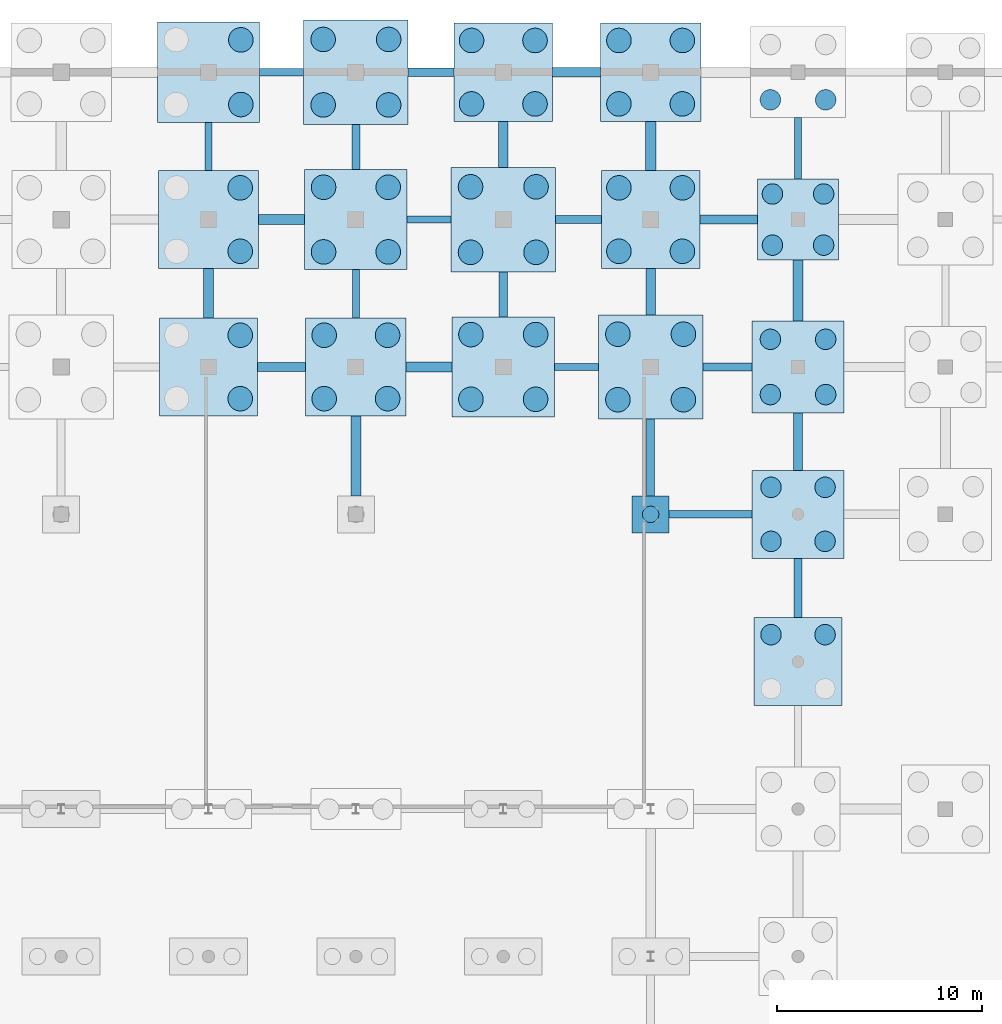
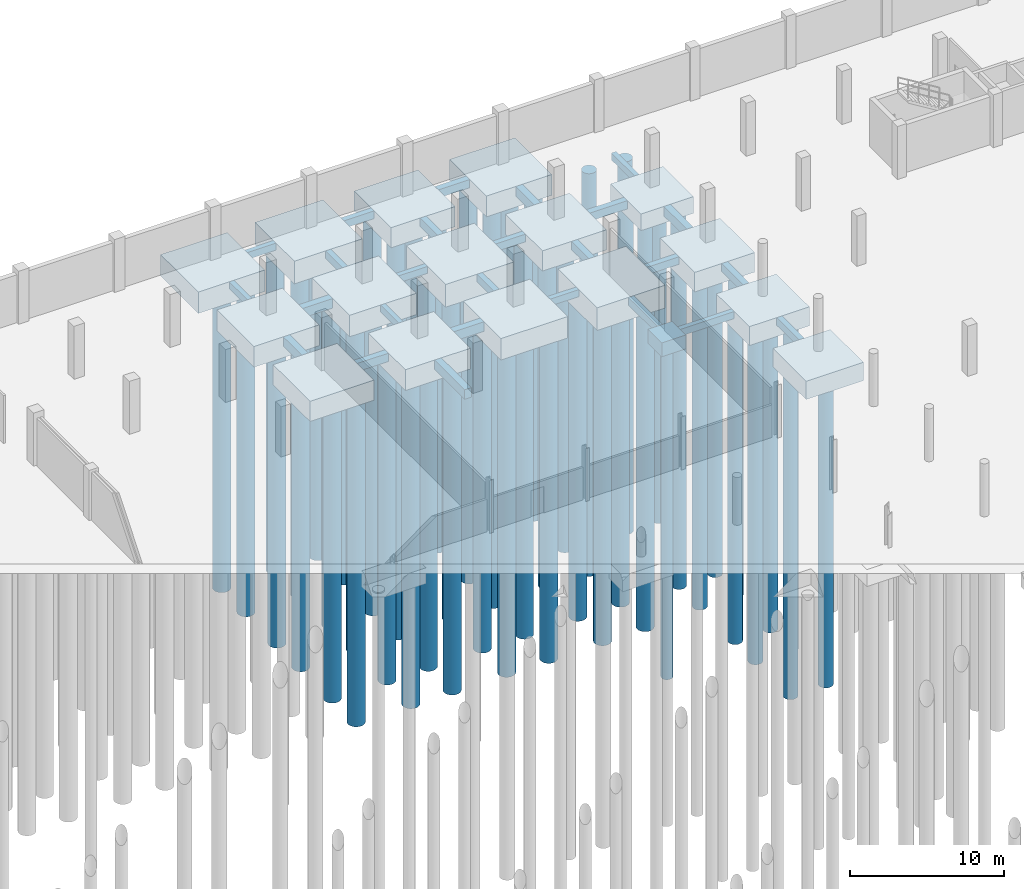
# One storey, part 11 of 56: 59 piles, 43 footings.
"""IFC4 building model written with IfcOpenShell, lengths in metres."""

from ifc_helpers import new_model, si_unit, direction, frame, origin, origin_2d, place, context, subcontext, project, spatial, rectangle, circle, extrude, material, material_profile, profile_set, type_object, element, save


model = new_model("IFC4")

# Units and contexts
model_context = context("Model", 3, precision=1e-05, world=origin(), true_north=direction((0.0, 1.0)))
body_context = subcontext(model_context, "Body", "Model", "MODEL_VIEW")
ifc_project = project(units=[si_unit("LENGTHUNIT", "METRE"), si_unit("AREAUNIT", "SQUARE_METRE"), si_unit("VOLUMEUNIT", "CUBIC_METRE"), si_unit("PLANEANGLEUNIT", "RADIAN"), si_unit("MASSUNIT", "GRAM", prefix="KILO")], contexts=[model_context])

# Site, building, storey
site_placement = place(None, origin())
site = spatial("IfcSite", under=ifc_project, at=site_placement, CompositionType="ELEMENT")
building_placement = place(site_placement, origin())
building = spatial("IfcBuilding", under=site, at=building_placement, Name="Suanplinth Sawtooth Commons", CompositionType="ELEMENT")
storey_placement = place(building_placement, frame((0.0, 0.0, -4.199951171875)))
storey = spatial("IfcBuildingStorey", under=building, at=storey_placement, Name="B1", CompositionType="ELEMENT", Elevation=-4.199951171875)

# Footings
ifc_material_1 = material(Name="Concrete C35/45", Category="concrete")
ifc_material_profile_1 = material_profile(ifc_material_1, rectangle(XDim=0.449951171875, YDim=0.64990234375, at=origin_2d()), Name="PC-GDR 450x650")
ifc_profile_set_1 = profile_set([ifc_material_profile_1], Name="Concrete C35/45")
footing_type_1 = type_object("IfcFootingType", Name="FB-01", PredefinedType="FOOTING_BEAM", material=ifc_profile_set_1)
footing_1_placement = place(storey_placement, frame((96.0, 108.0, -0.824951171875), z_axis=(1.0, 0.0, 0.0), x_axis=(0.0, 1.0, 0.0)))
element("IfcFooting", 1, at=footing_1_placement, inside=storey, type_object=footing_type_1, Name="Foundation Tie Beam 14-15/R", PredefinedType="FOOTING_BEAM", context=body_context, shape_type="SweptSolid", body=[
    extrude(rectangle(XDim=0.449951171875, YDim=0.64990234375, at=origin_2d()), origin(), (0.0, 0.0, 1.0), 2.35009765625),
])
footing_2_placement = place(storey_placement, frame((108.0, 117.75, -0.824951171875), z_axis=(0.0, 1.0, 0.0), x_axis=(-1.0, 0.0, 0.0)))
element("IfcFooting", 2, at=footing_2_placement, inside=storey, type_object=footing_type_1, Name="Foundation Tie Beam 16/S-T", PredefinedType="FOOTING_BEAM", context=body_context, shape_type="SweptSolid", body=[
    extrude(rectangle(XDim=0.449951171875, YDim=0.64990234375, at=origin_2d()), origin(), (0.0, 0.0, 1.0), 2.25),
])
footing_3_placement = place(storey_placement, frame((110.39990234375, 122.39990234375, -0.824951171875), z_axis=(1.0, 0.0, 0.0), x_axis=(0.0, 1.0, 0.0)))
element("IfcFooting", 3, at=footing_3_placement, inside=storey, type_object=footing_type_1, Name="Foundation Tie Beam 16-17/T", PredefinedType="FOOTING_BEAM", context=body_context, shape_type="SweptSolid", body=[
    extrude(rectangle(XDim=0.449951171875, YDim=0.64990234375, at=origin_2d()), origin(), (0.0, 0.0, 1.0), 2.35009765625),
])
footing_4_placement = place(storey_placement, frame((115.199951171875, 110.550048828125, -0.824951171875), z_axis=(0.0, 1.0, 0.0), x_axis=(-1.0, 0.0, 0.0)))
element("IfcFooting", 4, at=footing_4_placement, inside=storey, type_object=footing_type_1, Name="Foundation Tie Beam 17/R-S", PredefinedType="FOOTING_BEAM", context=body_context, shape_type="SweptSolid", body=[
    extrude(rectangle(XDim=0.449951171875, YDim=0.64990234375, at=origin_2d()), origin(), (0.0, 0.0, 1.0), 2.25),
])
footing_5_placement = place(storey_placement, frame((117.60009765625, 115.199951171875, -0.824951171875), z_axis=(1.0, 0.0, 0.0), x_axis=(0.0, 1.0, 0.0)))
element("IfcFooting", 5, at=footing_5_placement, inside=storey, type_object=footing_type_1, Name="Foundation Tie Beam 17-18/S", PredefinedType="FOOTING_BEAM", context=body_context, shape_type="SweptSolid", body=[
    extrude(rectangle(XDim=0.449951171875, YDim=0.64990234375, at=origin_2d()), origin(), (0.0, 0.0, 1.0), 2.824951171875),
])
footing_6_placement = place(storey_placement, frame((122.39990234375, 102.949951171875, -0.824951171875), z_axis=(0.0, 1.0, 0.0), x_axis=(-1.0, 0.0, 0.0)))
element("IfcFooting", 6, at=footing_6_placement, inside=storey, type_object=footing_type_1, Name="Foundation Tie Beam 18/Q-R", PredefinedType="FOOTING_BEAM", context=body_context, shape_type="SweptSolid", body=[
    extrude(rectangle(XDim=0.449951171875, YDim=0.64990234375, at=origin_2d()), origin(), (0.0, 0.0, 1.0), 2.800048828125),
])
ifc_material_profile_2 = material_profile(ifc_material_1, rectangle(XDim=0.5, YDim=0.75, at=origin_2d()), Name="RC-GDR 500x750")
ifc_profile_set_2 = profile_set([ifc_material_profile_2], Name="Concrete C35/45")
footing_type_2 = type_object("IfcFootingType", Name="FB-02", PredefinedType="FOOTING_BEAM", material=ifc_profile_set_2)
footing_7_placement = place(storey_placement, frame((93.60009765625, 110.39990234375, -0.875), z_axis=(0.0, 1.0, 0.0), x_axis=(-1.0, 0.0, 0.0)))
element("IfcFooting", 7, at=footing_7_placement, inside=storey, type_object=footing_type_2, Name="Foundation Tie Beam 14/R-S", PredefinedType="FOOTING_BEAM", context=body_context, shape_type="SweptSolid", body=[
    extrude(rectangle(XDim=0.5, YDim=0.75, at=origin_2d()), origin(), (0.0, 0.0, 1.0), 2.400146484375),
])
footing_8_placement = place(storey_placement, frame((96.050048828125, 115.199951171875, -0.875), z_axis=(1.0, 0.0, 0.0), x_axis=(0.0, 1.0, 0.0)))
element("IfcFooting", 8, at=footing_8_placement, inside=storey, type_object=footing_type_2, Name="Foundation Tie Beam 14-15/S", PredefinedType="FOOTING_BEAM", context=body_context, shape_type="SweptSolid", body=[
    extrude(rectangle(XDim=0.5, YDim=0.75, at=origin_2d()), origin(), (0.0, 0.0, 1.0), 2.25),
])
footing_9_placement = place(storey_placement, frame((100.800048828125, 101.699951171875, -0.875), z_axis=(0.0, 1.0, 0.0), x_axis=(-1.0, 0.0, 0.0)))
element("IfcFooting", 9, at=footing_9_placement, inside=storey, type_object=footing_type_2, Name="Foundation Tie Beam 15/Q-R", PredefinedType="FOOTING_BEAM", context=body_context, shape_type="SweptSolid", body=[
    extrude(rectangle(XDim=0.5, YDim=0.75, at=origin_2d()), origin(), (0.0, 0.0, 1.0), 3.900146484375),
])
footing_10_placement = place(storey_placement, frame((103.25, 108.0, -0.875), z_axis=(1.0, 0.0, 0.0), x_axis=(0.0, 1.0, 0.0)))
element("IfcFooting", 10, at=footing_10_placement, inside=storey, type_object=footing_type_2, Name="Foundation Tie Beam 15-16/R", PredefinedType="FOOTING_BEAM", context=body_context, shape_type="SweptSolid", body=[
    extrude(rectangle(XDim=0.5, YDim=0.75, at=origin_2d()), origin(), (0.0, 0.0, 1.0), 2.25),
])
footing_11_placement = place(storey_placement, frame((115.199951171875, 117.60009765625, -0.875), z_axis=(0.0, 1.0, 0.0), x_axis=(-1.0, 0.0, 0.0)))
element("IfcFooting", 11, at=footing_11_placement, inside=storey, type_object=footing_type_2, Name="Foundation Tie Beam 17/S-T", PredefinedType="FOOTING_BEAM", context=body_context, shape_type="SweptSolid", body=[
    extrude(rectangle(XDim=0.5, YDim=0.75, at=origin_2d()), origin(), (0.0, 0.0, 1.0), 2.39990234375),
])
footing_12_placement = place(storey_placement, frame((122.39990234375, 110.25, -0.875), z_axis=(0.0, 1.0, 0.0), x_axis=(-1.0, 0.0, 0.0)))
element("IfcFooting", 12, at=footing_12_placement, inside=storey, type_object=footing_type_2, Name="Foundation Tie Beam 18/R-S", PredefinedType="FOOTING_BEAM", context=body_context, shape_type="SweptSolid", body=[
    extrude(rectangle(XDim=0.5, YDim=0.75, at=origin_2d()), origin(), (0.0, 0.0, 1.0), 2.97509765625),
])
ifc_material_profile_3 = material_profile(ifc_material_1, rectangle(XDim=0.35009765625, YDim=0.550048828125, at=origin_2d()), Name="PC-BM 350x550")
ifc_profile_set_3 = profile_set([ifc_material_profile_3], Name="Concrete C35/45")
footing_type_3 = type_object("IfcFootingType", Name="FB-03", PredefinedType="FOOTING_BEAM", material=ifc_profile_set_3)
footing_13_placement = place(storey_placement, frame((93.60009765625, 117.60009765625, -0.775146484375), z_axis=(0.0, 1.0, 0.0), x_axis=(-1.0, 0.0, 0.0)))
element("IfcFooting", 13, at=footing_13_placement, inside=storey, type_object=footing_type_3, Name="Foundation Tie Beam 14/S-T", PredefinedType="FOOTING_BEAM", context=body_context, shape_type="SweptSolid", body=[
    extrude(rectangle(XDim=0.35009765625, YDim=0.550048828125, at=origin_2d()), origin(), (0.0, 0.0, 1.0), 2.349853515625),
])
footing_14_placement = place(storey_placement, frame((96.10009765625, 122.39990234375, -0.775146484375), z_axis=(1.0, 0.0, 0.0), x_axis=(0.0, 1.0, 0.0)))
element("IfcFooting", 14, at=footing_14_placement, inside=storey, type_object=footing_type_3, Name="Foundation Tie Beam 14-15/T", PredefinedType="FOOTING_BEAM", context=body_context, shape_type="SweptSolid", body=[
    extrude(rectangle(XDim=0.35009765625, YDim=0.550048828125, at=origin_2d()), origin(), (0.0, 0.0, 1.0), 2.14990234375),
])
footing_15_placement = place(storey_placement, frame((100.800048828125, 110.39990234375, -0.775146484375), z_axis=(0.0, 1.0, 0.0), x_axis=(-1.0, 0.0, 0.0)))
element("IfcFooting", 15, at=footing_15_placement, inside=storey, type_object=footing_type_3, Name="Foundation Tie Beam 15/R-S", PredefinedType="FOOTING_BEAM", context=body_context, shape_type="SweptSolid", body=[
    extrude(rectangle(XDim=0.35009765625, YDim=0.550048828125, at=origin_2d()), origin(), (0.0, 0.0, 1.0), 2.35009765625),
])
for number, where, z_axis, x_axis, name in (
    (16, (103.300048828125, 115.199951171875, -0.775146484375), (1.0, 0.0, 0.0), (0.0, 1.0, 0.0), "Foundation Tie Beam 15-16/S"),
    (17, (110.5, 108.0, -0.775146484375), (1.0, 0.0, 0.0), (0.0, 1.0, 0.0), "Foundation Tie Beam 16-17/R"),
):
    element("IfcFooting", number, at=place(storey_placement, frame(where, z_axis=z_axis, x_axis=x_axis)), inside=storey, type_object=footing_type_3, Name=name, PredefinedType="FOOTING_BEAM", context=body_context, shape_type="SweptSolid", body=[
        extrude(rectangle(XDim=0.35009765625, YDim=0.550048828125, at=origin_2d()), origin(), (0.0, 0.0, 1.0), 2.14990234375),
    ])
footing_16_placement = place(storey_placement, frame((116.10009765625, 100.800048828125, -0.775146484375), z_axis=(1.0, 0.0, 0.0), x_axis=(0.0, 1.0, 0.0)))
element("IfcFooting", 18, at=footing_16_placement, inside=storey, type_object=footing_type_3, Name="Foundation Tie Beam 17-18/Q", PredefinedType="FOOTING_BEAM", context=body_context, shape_type="SweptSolid", body=[
    extrude(rectangle(XDim=0.35009765625, YDim=0.550048828125, at=origin_2d()), origin(), (0.0, 0.0, 1.0), 4.0498046875),
])
footing_17_placement = place(storey_placement, frame((122.39990234375, 117.175048828125, -0.775146484375), z_axis=(0.0, 1.0, 0.0), x_axis=(-1.0, 0.0, 0.0)))
element("IfcFooting", 19, at=footing_17_placement, inside=storey, type_object=footing_type_3, Name="Foundation Tie Beam 18/S-T", PredefinedType="FOOTING_BEAM", context=body_context, shape_type="SweptSolid", body=[
    extrude(rectangle(XDim=0.35009765625, YDim=0.550048828125, at=origin_2d()), origin(), (0.0, 0.0, 1.0), 3.0),
])
ifc_material_profile_4 = material_profile(ifc_material_1, rectangle(XDim=0.39990234375, YDim=0.60009765625, at=origin_2d()), Name="PC-GDR 400x600")
ifc_profile_set_4 = profile_set([ifc_material_profile_4], Name="Concrete C35/45")
footing_type_4 = type_object("IfcFootingType", Name="FB-04", PredefinedType="FOOTING_BEAM", material=ifc_profile_set_4)
footing_18_placement = place(storey_placement, frame((100.800048828125, 117.64990234375, -0.800048828125), z_axis=(0.0, 1.0, 0.0), x_axis=(-1.0, 0.0, 0.0)))
element("IfcFooting", 20, at=footing_18_placement, inside=storey, type_object=footing_type_4, Name="Foundation Tie Beam 15/S-T", PredefinedType="FOOTING_BEAM", context=body_context, shape_type="SweptSolid", body=[
    extrude(rectangle(XDim=0.39990234375, YDim=0.60009765625, at=origin_2d()), origin(), (0.0, 0.0, 1.0), 2.2001953125),
])
footing_19_placement = place(storey_placement, frame((103.35009765625, 122.39990234375, -0.800048828125), z_axis=(1.0, 0.0, 0.0), x_axis=(0.0, 1.0, 0.0)))
element("IfcFooting", 21, at=footing_19_placement, inside=storey, type_object=footing_type_4, Name="Foundation Tie Beam 15-16/T", PredefinedType="FOOTING_BEAM", context=body_context, shape_type="SweptSolid", body=[
    extrude(rectangle(XDim=0.39990234375, YDim=0.60009765625, at=origin_2d()), origin(), (0.0, 0.0, 1.0), 2.25),
])
footing_20_placement = place(storey_placement, frame((108.0, 110.449951171875, -0.800048828125), z_axis=(0.0, 1.0, 0.0), x_axis=(-1.0, 0.0, 0.0)))
element("IfcFooting", 22, at=footing_20_placement, inside=storey, type_object=footing_type_4, Name="Foundation Tie Beam 16/R-S", PredefinedType="FOOTING_BEAM", context=body_context, shape_type="SweptSolid", body=[
    extrude(rectangle(XDim=0.39990234375, YDim=0.60009765625, at=origin_2d()), origin(), (0.0, 0.0, 1.0), 2.199951171875),
])
footing_21_placement = place(storey_placement, frame((110.550048828125, 115.199951171875, -0.800048828125), z_axis=(1.0, 0.0, 0.0), x_axis=(0.0, 1.0, 0.0)))
element("IfcFooting", 23, at=footing_21_placement, inside=storey, type_object=footing_type_4, Name="Foundation Tie Beam 16-17/S", PredefinedType="FOOTING_BEAM", context=body_context, shape_type="SweptSolid", body=[
    extrude(rectangle(XDim=0.39990234375, YDim=0.60009765625, at=origin_2d()), origin(), (0.0, 0.0, 1.0), 2.25),
])
footing_22_placement = place(storey_placement, frame((115.199951171875, 101.699951171875, -0.800048828125), z_axis=(0.0, 1.0, 0.0), x_axis=(-1.0, 0.0, 0.0)))
element("IfcFooting", 24, at=footing_22_placement, inside=storey, type_object=footing_type_4, Name="Foundation Tie Beam 17/Q-R", PredefinedType="FOOTING_BEAM", context=body_context, shape_type="SweptSolid", body=[
    extrude(rectangle(XDim=0.39990234375, YDim=0.60009765625, at=origin_2d()), origin(), (0.0, 0.0, 1.0), 3.75),
])
footing_23_placement = place(storey_placement, frame((117.75, 108.0, -0.800048828125), z_axis=(1.0, 0.0, 0.0), x_axis=(0.0, 1.0, 0.0)))
element("IfcFooting", 25, at=footing_23_placement, inside=storey, type_object=footing_type_4, Name="Foundation Tie Beam 17-18/R", PredefinedType="FOOTING_BEAM", context=body_context, shape_type="SweptSolid", body=[
    extrude(rectangle(XDim=0.39990234375, YDim=0.60009765625, at=origin_2d()), origin(), (0.0, 0.0, 1.0), 2.39990234375),
])
footing_24_placement = place(storey_placement, frame((122.39990234375, 95.75, -0.800048828125), z_axis=(0.0, 1.0, 0.0), x_axis=(-1.0, 0.0, 0.0)))
element("IfcFooting", 26, at=footing_24_placement, inside=storey, type_object=footing_type_4, Name="Foundation Tie Beam 18/P-Q", PredefinedType="FOOTING_BEAM", context=body_context, shape_type="SweptSolid", body=[
    extrude(rectangle(XDim=0.39990234375, YDim=0.60009765625, at=origin_2d()), origin(), (0.0, 0.0, 1.0), 2.89990234375),
])
footing_type_5 = type_object("IfcFootingType", Name="FC-01", PredefinedType="PILE_CAP", material=ifc_material_1)
footing_25_placement = place(storey_placement, frame((115.199951171875, 100.800048828125, -1.60009765625), z_axis=(0.0, 0.0, 1.0), x_axis=(1.0, 0.0, 0.0)))
element("IfcFooting", 27, at=footing_25_placement, inside=storey, type_object=footing_type_5, Name="Pile Cap 17/Q", PredefinedType="PILE_CAP", context=body_context, shape_type="SweptSolid", body=[
    extrude(rectangle(XDim=1.800048828125, YDim=1.800048828125, at=origin_2d()), origin(), (0.0, 0.0, 1.0), 1.10009765625),
])
footing_type_6 = type_object("IfcFootingType", Name="FC-08", PredefinedType="PILE_CAP", material=ifc_material_1)
footing_26_placement = place(storey_placement, frame((122.39990234375, 93.60009765625, -1.9501953125), z_axis=(0.0, 0.0, 1.0), x_axis=(1.0, 0.0, 0.0)))
element("IfcFooting", 28, at=footing_26_placement, inside=storey, type_object=footing_type_6, Name="Pile Cap 18/P", PredefinedType="PILE_CAP", context=body_context, shape_type="SweptSolid", body=[
    extrude(rectangle(XDim=4.300048828125, YDim=4.300048828125, at=origin_2d()), origin(), (0.0, 0.0, 1.0), 1.449951171875),
])
footing_type_7 = type_object("IfcFootingType", Name="FC-09", PredefinedType="PILE_CAP", material=ifc_material_1)
footing_27_placement = place(storey_placement, frame((122.39990234375, 100.800048828125, -2.0), z_axis=(0.0, 0.0, 1.0), x_axis=(1.0, 0.0, 0.0)))
element("IfcFooting", 29, at=footing_27_placement, inside=storey, type_object=footing_type_7, Name="Pile Cap 18/Q", PredefinedType="PILE_CAP", context=body_context, shape_type="SweptSolid", body=[
    extrude(rectangle(XDim=4.5, YDim=4.300048828125, at=origin_2d()), origin(), (0.0, 0.0, 1.0), 1.5),
])
footing_type_8 = type_object("IfcFootingType", Name="FC-10", PredefinedType="PILE_CAP", material=ifc_material_1)
footing_28_placement = place(storey_placement, frame((122.39990234375, 108.0, -2.05029296875), z_axis=(0.0, 0.0, 1.0), x_axis=(1.0, 0.0, 0.0)))
element("IfcFooting", 30, at=footing_28_placement, inside=storey, type_object=footing_type_8, Name="Pile Cap 18/R", PredefinedType="PILE_CAP", context=body_context, shape_type="SweptSolid", body=[
    extrude(rectangle(XDim=4.5, YDim=4.5, at=origin_2d()), origin(), (0.0, 0.0, 1.0), 1.550048828125),
])
footing_type_9 = type_object("IfcFootingType", Name="FC-11", PredefinedType="PILE_CAP", material=ifc_material_1)
for number, where, z_axis, x_axis, name in (
    (31, (93.60009765625, 108.0, -2.10009765625), (0.0, 0.0, 1.0), (1.0, 0.0, 0.0), "Pile Cap 14/R"),
    (32, (108.0, 122.39990234375, -2.10009765625), (0.0, 0.0, 1.0), (1.0, 0.0, 0.0), "Pile Cap 16/T"),
    (33, (115.199951171875, 115.199951171875, -2.10009765625), (0.0, 0.0, 1.0), (1.0, 0.0, 0.0), "Pile Cap 17/S"),
):
    element("IfcFooting", number, at=place(storey_placement, frame(where, z_axis=z_axis, x_axis=x_axis)), inside=storey, type_object=footing_type_9, Name=name, PredefinedType="PILE_CAP", context=body_context, shape_type="SweptSolid", body=[
        extrude(rectangle(XDim=4.800048828125, YDim=4.800048828125, at=origin_2d()), origin(), (0.0, 0.0, 1.0), 1.60009765625),
    ])
footing_type_10 = type_object("IfcFootingType", Name="FC-12", PredefinedType="PILE_CAP", material=ifc_material_1)
for number, where, z_axis, x_axis, name in (
    (34, (93.60009765625, 115.199951171875, -2.14990234375), (0.0, 0.0, 1.0), (1.0, 0.0, 0.0), "Pile Cap 14/S"),
    (35, (100.800048828125, 108.0, -2.14990234375), (0.0, 0.0, 1.0), (1.0, 0.0, 0.0), "Pile Cap 15/R"),
    (36, (115.199951171875, 122.39990234375, -2.14990234375), (0.0, 0.0, 1.0), (1.0, 0.0, 0.0), "Pile Cap 17/T"),
):
    element("IfcFooting", number, at=place(storey_placement, frame(where, z_axis=z_axis, x_axis=x_axis)), inside=storey, type_object=footing_type_10, Name=name, PredefinedType="PILE_CAP", context=body_context, shape_type="SweptSolid", body=[
        extrude(rectangle(XDim=4.89990234375, YDim=4.800048828125, at=origin_2d()), origin(), (0.0, 0.0, 1.0), 1.64990234375),
    ])
footing_type_11 = type_object("IfcFootingType", Name="FC-13", PredefinedType="PILE_CAP", material=ifc_material_1)
for number, where, z_axis, x_axis, name in (
    (37, (93.60009765625, 122.39990234375, -2.2001953125), (0.0, 0.0, 1.0), (1.0, 0.0, 0.0), "Pile Cap 14/T"),
    (38, (100.800048828125, 115.199951171875, -2.2001953125), (0.0, 0.0, 1.0), (1.0, 0.0, 0.0), "Pile Cap 15/S"),
    (39, (108.0, 108.0, -2.2001953125), (0.0, 0.0, 1.0), (1.0, 0.0, 0.0), "Pile Cap 16/R"),
):
    element("IfcFooting", number, at=place(storey_placement, frame(where, z_axis=z_axis, x_axis=x_axis)), inside=storey, type_object=footing_type_11, Name=name, PredefinedType="PILE_CAP", context=body_context, shape_type="SweptSolid", body=[
        extrude(rectangle(XDim=5.0, YDim=4.89990234375, at=origin_2d()), origin(), (0.0, 0.0, 1.0), 1.699951171875),
    ])
footing_type_12 = type_object("IfcFootingType", Name="FC-14", PredefinedType="PILE_CAP", material=ifc_material_1)
for number, where, z_axis, x_axis, name in (
    (40, (100.800048828125, 122.39990234375, -2.30029296875), (0.0, 0.0, 1.0), (1.0, 0.0, 0.0), "Pile Cap 15/T"),
    (41, (108.0, 115.199951171875, -2.30029296875), (0.0, 0.0, 1.0), (1.0, 0.0, 0.0), "Pile Cap 16/S"),
    (42, (115.199951171875, 108.0, -2.30029296875), (0.0, 0.0, 1.0), (1.0, 0.0, 0.0), "Pile Cap 17/R"),
):
    element("IfcFooting", number, at=place(storey_placement, frame(where, z_axis=z_axis, x_axis=x_axis)), inside=storey, type_object=footing_type_12, Name=name, PredefinedType="PILE_CAP", context=body_context, shape_type="SweptSolid", body=[
        extrude(rectangle(XDim=5.10009765625, YDim=5.10009765625, at=origin_2d()), origin(), (0.0, 0.0, 1.0), 1.800048828125),
    ])
footing_type_13 = type_object("IfcFootingType", Name="FC-15", PredefinedType="PILE_CAP", material=ifc_material_1)
footing_29_placement = place(storey_placement, frame((122.39990234375, 115.199951171875, -1.8203125), z_axis=(0.0, 0.0, 1.0), x_axis=(1.0, 0.0, 0.0)))
element("IfcFooting", 43, at=footing_29_placement, inside=storey, type_object=footing_type_13, Name="Pile Cap 18/S", PredefinedType="PILE_CAP", context=body_context, shape_type="SweptSolid", body=[
    extrude(rectangle(XDim=3.949951171875, YDim=3.949951171875, at=origin_2d()), origin(), (0.0, 0.0, 1.0), 1.320068359375),
])

# Piles
ifc_material_2 = material(Name="Concrete C32/40", Category="concrete")
ifc_material_profile_5 = material_profile(ifc_material_2, circle(Radius=0.39990234375, at=origin_2d()), Name="PILE D800")
ifc_profile_set_5 = profile_set([ifc_material_profile_5], Name="Concrete C32/40")
pile_type_1 = type_object("IfcPileType", Name="P-01", PredefinedType="BORED", material=ifc_profile_set_5)
pile_placement = place(storey_placement, frame((115.199951171875, 100.800048828125, -1.5), z_axis=(0.0, 0.0, -1.0), x_axis=(1.0, 0.0, 0.0)))
element("IfcPile", 44, at=pile_placement, inside=storey, type_object=pile_type_1, Name="Bored Pile 17/Q-1", PredefinedType="BORED", context=body_context, shape_type="SweptSolid", body=[
    extrude(circle(Radius=0.39990234375, at=origin_2d()), origin(), (0.0, 0.0, 1.0), 26.300048828125),
])
ifc_material_profile_6 = material_profile(ifc_material_2, circle(Radius=0.5, at=origin_2d()), Name="PILE D1000")
ifc_profile_set_6 = profile_set([ifc_material_profile_6], Name="Concrete C32/40")
pile_type_2 = type_object("IfcPileType", Name="P-02", PredefinedType="BORED", material=ifc_profile_set_6)
for number, where, z_axis, x_axis, name in (
    (45, (121.080078125, 94.919921875, -1.85009765625), (0.0, 0.0, -1.0), (1.0, 0.0, 0.0), "Bored Pile 18/P-3"),
    (46, (123.719970703125, 94.919921875, -1.85009765625), (0.0, 0.0, -1.0), (1.0, 0.0, 0.0), "Bored Pile 18/P-4"),
):
    element("IfcPile", number, at=place(storey_placement, frame(where, z_axis=z_axis, x_axis=x_axis)), inside=storey, type_object=pile_type_2, Name=name, PredefinedType="BORED", context=body_context, shape_type="SweptSolid", body=[
        extrude(circle(Radius=0.5, at=origin_2d()), origin(), (0.0, 0.0, 1.0), 25.949951171875),
    ])
for number, where, z_axis, x_axis, name in (
    (47, (121.080078125, 99.47998046875, -1.900146484375), (0.0, 0.0, -1.0), (1.0, 0.0, 0.0), "Bored Pile 18/Q-1"),
    (48, (123.719970703125, 99.47998046875, -1.900146484375), (0.0, 0.0, -1.0), (1.0, 0.0, 0.0), "Bored Pile 18/Q-2"),
    (49, (121.080078125, 102.1201171875, -1.900146484375), (0.0, 0.0, -1.0), (1.0, 0.0, 0.0), "Bored Pile 18/Q-3"),
    (50, (123.719970703125, 102.1201171875, -1.900146484375), (0.0, 0.0, -1.0), (1.0, 0.0, 0.0), "Bored Pile 18/Q-4"),
):
    element("IfcPile", number, at=place(storey_placement, frame(where, z_axis=z_axis, x_axis=x_axis)), inside=storey, type_object=pile_type_2, Name=name, PredefinedType="BORED", context=body_context, shape_type="SweptSolid", body=[
        extrude(circle(Radius=0.5, at=origin_2d()), origin(), (0.0, 0.0, 1.0), 25.89990234375),
    ])
for number, where, z_axis, x_axis, name in (
    (51, (121.050048828125, 106.64990234375, -1.949951171875), (0.0, 0.0, -1.0), (1.0, 0.0, 0.0), "Bored Pile 18/R-1"),
    (52, (123.75, 106.64990234375, -1.949951171875), (0.0, 0.0, -1.0), (1.0, 0.0, 0.0), "Bored Pile 18/R-2"),
    (53, (121.050048828125, 109.35009765625, -1.949951171875), (0.0, 0.0, -1.0), (1.0, 0.0, 0.0), "Bored Pile 18/R-3"),
    (54, (123.75, 109.35009765625, -1.949951171875), (0.0, 0.0, -1.0), (1.0, 0.0, 0.0), "Bored Pile 18/R-4"),
):
    element("IfcPile", number, at=place(storey_placement, frame(where, z_axis=z_axis, x_axis=x_axis)), inside=storey, type_object=pile_type_2, Name=name, PredefinedType="BORED", context=body_context, shape_type="SweptSolid", body=[
        extrude(circle(Radius=0.5, at=origin_2d()), origin(), (0.0, 0.0, 1.0), 25.85009765625),
    ])
for number, where, z_axis, x_axis, name in (
    (55, (121.14990234375, 113.949951171875, -1.719970703125), (0.0, 0.0, -1.0), (1.0, 0.0, 0.0), "Bored Pile 18/S-1"),
    (56, (123.64990234375, 113.949951171875, -1.719970703125), (0.0, 0.0, -1.0), (1.0, 0.0, 0.0), "Bored Pile 18/S-2"),
    (57, (121.14990234375, 116.449951171875, -1.719970703125), (0.0, 0.0, -1.0), (1.0, 0.0, 0.0), "Bored Pile 18/S-3"),
    (58, (123.64990234375, 116.449951171875, -1.719970703125), (0.0, 0.0, -1.0), (1.0, 0.0, 0.0), "Bored Pile 18/S-4"),
):
    element("IfcPile", number, at=place(storey_placement, frame(where, z_axis=z_axis, x_axis=x_axis)), inside=storey, type_object=pile_type_2, Name=name, PredefinedType="BORED", context=body_context, shape_type="SweptSolid", body=[
        extrude(circle(Radius=0.5, at=origin_2d()), origin(), (0.0, 0.0, 1.0), 26.080078125),
    ])
for number, where, z_axis, x_axis, name in (
    (59, (121.050048828125, 121.050048828125, -1.920166015625), (0.0, 0.0, -1.0), (1.0, 0.0, 0.0), "Bored Pile 18/T-1"),
    (60, (123.75, 121.050048828125, -1.920166015625), (0.0, 0.0, -1.0), (1.0, 0.0, 0.0), "Bored Pile 18/T-2"),
):
    element("IfcPile", number, at=place(storey_placement, frame(where, z_axis=z_axis, x_axis=x_axis)), inside=storey, type_object=pile_type_2, Name=name, PredefinedType="BORED", context=body_context, shape_type="SweptSolid", body=[
        extrude(circle(Radius=0.5, at=origin_2d()), origin(), (0.0, 0.0, 1.0), 25.8798828125),
    ])
ifc_material_profile_7 = material_profile(ifc_material_2, circle(Radius=0.60009765625, at=origin_2d()), Name="PILE D1200")
ifc_profile_set_7 = profile_set([ifc_material_profile_7], Name="Concrete C32/40")
pile_type_3 = type_object("IfcPileType", Name="P-03", PredefinedType="BORED", material=ifc_profile_set_7)
for number, where, z_axis, x_axis, name in (
    (61, (95.14990234375, 106.449951171875, -2.0), (0.0, 0.0, -1.0), (1.0, 0.0, 0.0), "Bored Pile 14/R-2"),
    (62, (95.14990234375, 109.550048828125, -2.0), (0.0, 0.0, -1.0), (1.0, 0.0, 0.0), "Bored Pile 14/R-4"),
):
    element("IfcPile", number, at=place(storey_placement, frame(where, z_axis=z_axis, x_axis=x_axis)), inside=storey, type_object=pile_type_3, Name=name, PredefinedType="BORED", context=body_context, shape_type="SweptSolid", body=[
        extrude(circle(Radius=0.60009765625, at=origin_2d()), origin(), (0.0, 0.0, 1.0), 25.800048828125),
    ])
for number, where, z_axis, x_axis, name in (
    (63, (95.14990234375, 113.64990234375, -2.050048828125), (0.0, 0.0, -1.0), (1.0, 0.0, 0.0), "Bored Pile 14/S-2"),
    (64, (95.14990234375, 116.75, -2.050048828125), (0.0, 0.0, -1.0), (1.0, 0.0, 0.0), "Bored Pile 14/S-4"),
):
    element("IfcPile", number, at=place(storey_placement, frame(where, z_axis=z_axis, x_axis=x_axis)), inside=storey, type_object=pile_type_3, Name=name, PredefinedType="BORED", context=body_context, shape_type="SweptSolid", body=[
        extrude(circle(Radius=0.60009765625, at=origin_2d()), origin(), (0.0, 0.0, 1.0), 25.75),
    ])
for number, where, z_axis, x_axis, name in (
    (65, (95.179931640625, 120.820068359375, -2.10009765625), (0.0, 0.0, -1.0), (1.0, 0.0, 0.0), "Bored Pile 14/T-2"),
    (66, (95.179931640625, 123.97998046875, -2.10009765625), (0.0, 0.0, -1.0), (1.0, 0.0, 0.0), "Bored Pile 14/T-4"),
):
    element("IfcPile", number, at=place(storey_placement, frame(where, z_axis=z_axis, x_axis=x_axis)), inside=storey, type_object=pile_type_3, Name=name, PredefinedType="BORED", context=body_context, shape_type="SweptSolid", body=[
        extrude(circle(Radius=0.60009765625, at=origin_2d()), origin(), (0.0, 0.0, 1.0), 25.699951171875),
    ])
for number, where, z_axis, x_axis, name in (
    (67, (99.25, 106.449951171875, -2.050048828125), (0.0, 0.0, -1.0), (1.0, 0.0, 0.0), "Bored Pile 15/R-1"),
    (68, (102.35009765625, 106.449951171875, -2.050048828125), (0.0, 0.0, -1.0), (1.0, 0.0, 0.0), "Bored Pile 15/R-2"),
    (69, (99.25, 109.550048828125, -2.050048828125), (0.0, 0.0, -1.0), (1.0, 0.0, 0.0), "Bored Pile 15/R-3"),
    (70, (102.35009765625, 109.550048828125, -2.050048828125), (0.0, 0.0, -1.0), (1.0, 0.0, 0.0), "Bored Pile 15/R-4"),
):
    element("IfcPile", number, at=place(storey_placement, frame(where, z_axis=z_axis, x_axis=x_axis)), inside=storey, type_object=pile_type_3, Name=name, PredefinedType="BORED", context=body_context, shape_type="SweptSolid", body=[
        extrude(circle(Radius=0.60009765625, at=origin_2d()), origin(), (0.0, 0.0, 1.0), 25.75),
    ])
for number, where, z_axis, x_axis, name in (
    (71, (99.219970703125, 113.6201171875, -2.10009765625), (0.0, 0.0, -1.0), (1.0, 0.0, 0.0), "Bored Pile 15/S-1"),
    (72, (102.3798828125, 113.6201171875, -2.10009765625), (0.0, 0.0, -1.0), (1.0, 0.0, 0.0), "Bored Pile 15/S-2"),
    (73, (99.219970703125, 116.780029296875, -2.10009765625), (0.0, 0.0, -1.0), (1.0, 0.0, 0.0), "Bored Pile 15/S-3"),
    (74, (102.3798828125, 116.780029296875, -2.10009765625), (0.0, 0.0, -1.0), (1.0, 0.0, 0.0), "Bored Pile 15/S-4"),
):
    element("IfcPile", number, at=place(storey_placement, frame(where, z_axis=z_axis, x_axis=x_axis)), inside=storey, type_object=pile_type_3, Name=name, PredefinedType="BORED", context=body_context, shape_type="SweptSolid", body=[
        extrude(circle(Radius=0.60009765625, at=origin_2d()), origin(), (0.0, 0.0, 1.0), 25.699951171875),
    ])
for number, where, z_axis, x_axis, name in (
    (75, (99.199951171875, 120.800048828125, -2.199951171875), (0.0, 0.0, -1.0), (1.0, 0.0, 0.0), "Bored Pile 15/T-1"),
    (76, (102.39990234375, 120.800048828125, -2.199951171875), (0.0, 0.0, -1.0), (1.0, 0.0, 0.0), "Bored Pile 15/T-2"),
    (77, (99.199951171875, 124.0, -2.199951171875), (0.0, 0.0, -1.0), (1.0, 0.0, 0.0), "Bored Pile 15/T-3"),
    (78, (102.39990234375, 124.0, -2.199951171875), (0.0, 0.0, -1.0), (1.0, 0.0, 0.0), "Bored Pile 15/T-4"),
):
    element("IfcPile", number, at=place(storey_placement, frame(where, z_axis=z_axis, x_axis=x_axis)), inside=storey, type_object=pile_type_3, Name=name, PredefinedType="BORED", context=body_context, shape_type="SweptSolid", body=[
        extrude(circle(Radius=0.60009765625, at=origin_2d()), origin(), (0.0, 0.0, 1.0), 25.60009765625),
    ])
for number, where, z_axis, x_axis, name in (
    (79, (106.419921875, 106.419921875, -2.10009765625), (0.0, 0.0, -1.0), (1.0, 0.0, 0.0), "Bored Pile 16/R-1"),
    (80, (109.580078125, 106.419921875, -2.10009765625), (0.0, 0.0, -1.0), (1.0, 0.0, 0.0), "Bored Pile 16/R-2"),
    (81, (106.419921875, 109.580078125, -2.10009765625), (0.0, 0.0, -1.0), (1.0, 0.0, 0.0), "Bored Pile 16/R-3"),
    (82, (109.580078125, 109.580078125, -2.10009765625), (0.0, 0.0, -1.0), (1.0, 0.0, 0.0), "Bored Pile 16/R-4"),
):
    element("IfcPile", number, at=place(storey_placement, frame(where, z_axis=z_axis, x_axis=x_axis)), inside=storey, type_object=pile_type_3, Name=name, PredefinedType="BORED", context=body_context, shape_type="SweptSolid", body=[
        extrude(circle(Radius=0.60009765625, at=origin_2d()), origin(), (0.0, 0.0, 1.0), 25.699951171875),
    ])
for number, where, z_axis, x_axis, name in (
    (83, (106.39990234375, 113.60009765625, -2.199951171875), (0.0, 0.0, -1.0), (1.0, 0.0, 0.0), "Bored Pile 16/S-1"),
    (84, (109.60009765625, 113.60009765625, -2.199951171875), (0.0, 0.0, -1.0), (1.0, 0.0, 0.0), "Bored Pile 16/S-2"),
    (85, (106.39990234375, 116.800048828125, -2.199951171875), (0.0, 0.0, -1.0), (1.0, 0.0, 0.0), "Bored Pile 16/S-3"),
    (86, (109.60009765625, 116.800048828125, -2.199951171875), (0.0, 0.0, -1.0), (1.0, 0.0, 0.0), "Bored Pile 16/S-4"),
):
    element("IfcPile", number, at=place(storey_placement, frame(where, z_axis=z_axis, x_axis=x_axis)), inside=storey, type_object=pile_type_3, Name=name, PredefinedType="BORED", context=body_context, shape_type="SweptSolid", body=[
        extrude(circle(Radius=0.60009765625, at=origin_2d()), origin(), (0.0, 0.0, 1.0), 25.60009765625),
    ])
for number, where, z_axis, x_axis, name in (
    (87, (106.449951171875, 120.85009765625, -2.0), (0.0, 0.0, -1.0), (1.0, 0.0, 0.0), "Bored Pile 16/T-1"),
    (88, (109.550048828125, 120.85009765625, -2.0), (0.0, 0.0, -1.0), (1.0, 0.0, 0.0), "Bored Pile 16/T-2"),
    (89, (106.449951171875, 123.949951171875, -2.0), (0.0, 0.0, -1.0), (1.0, 0.0, 0.0), "Bored Pile 16/T-3"),
    (90, (109.550048828125, 123.949951171875, -2.0), (0.0, 0.0, -1.0), (1.0, 0.0, 0.0), "Bored Pile 16/T-4"),
):
    element("IfcPile", number, at=place(storey_placement, frame(where, z_axis=z_axis, x_axis=x_axis)), inside=storey, type_object=pile_type_3, Name=name, PredefinedType="BORED", context=body_context, shape_type="SweptSolid", body=[
        extrude(circle(Radius=0.60009765625, at=origin_2d()), origin(), (0.0, 0.0, 1.0), 25.800048828125),
    ])
for number, where, z_axis, x_axis, name in (
    (91, (113.60009765625, 106.39990234375, -2.199951171875), (0.0, 0.0, -1.0), (1.0, 0.0, 0.0), "Bored Pile 17/R-1"),
    (92, (116.800048828125, 106.39990234375, -2.199951171875), (0.0, 0.0, -1.0), (1.0, 0.0, 0.0), "Bored Pile 17/R-2"),
    (93, (113.60009765625, 109.60009765625, -2.199951171875), (0.0, 0.0, -1.0), (1.0, 0.0, 0.0), "Bored Pile 17/R-3"),
    (94, (116.800048828125, 109.60009765625, -2.199951171875), (0.0, 0.0, -1.0), (1.0, 0.0, 0.0), "Bored Pile 17/R-4"),
):
    element("IfcPile", number, at=place(storey_placement, frame(where, z_axis=z_axis, x_axis=x_axis)), inside=storey, type_object=pile_type_3, Name=name, PredefinedType="BORED", context=body_context, shape_type="SweptSolid", body=[
        extrude(circle(Radius=0.60009765625, at=origin_2d()), origin(), (0.0, 0.0, 1.0), 25.60009765625),
    ])
for number, where, z_axis, x_axis, name in (
    (95, (113.64990234375, 113.64990234375, -2.0), (0.0, 0.0, -1.0), (1.0, 0.0, 0.0), "Bored Pile 17/S-1"),
    (96, (116.75, 113.64990234375, -2.0), (0.0, 0.0, -1.0), (1.0, 0.0, 0.0), "Bored Pile 17/S-2"),
    (97, (113.64990234375, 116.75, -2.0), (0.0, 0.0, -1.0), (1.0, 0.0, 0.0), "Bored Pile 17/S-3"),
    (98, (116.75, 116.75, -2.0), (0.0, 0.0, -1.0), (1.0, 0.0, 0.0), "Bored Pile 17/S-4"),
):
    element("IfcPile", number, at=place(storey_placement, frame(where, z_axis=z_axis, x_axis=x_axis)), inside=storey, type_object=pile_type_3, Name=name, PredefinedType="BORED", context=body_context, shape_type="SweptSolid", body=[
        extrude(circle(Radius=0.60009765625, at=origin_2d()), origin(), (0.0, 0.0, 1.0), 25.800048828125),
    ])
for number, where, z_axis, x_axis, name in (
    (99, (113.64990234375, 120.85009765625, -2.050048828125), (0.0, 0.0, -1.0), (1.0, 0.0, 0.0), "Bored Pile 17/T-1"),
    (100, (116.75, 120.85009765625, -2.050048828125), (0.0, 0.0, -1.0), (1.0, 0.0, 0.0), "Bored Pile 17/T-2"),
    (101, (113.64990234375, 123.949951171875, -2.050048828125), (0.0, 0.0, -1.0), (1.0, 0.0, 0.0), "Bored Pile 17/T-3"),
    (102, (116.75, 123.949951171875, -2.050048828125), (0.0, 0.0, -1.0), (1.0, 0.0, 0.0), "Bored Pile 17/T-4"),
):
    element("IfcPile", number, at=place(storey_placement, frame(where, z_axis=z_axis, x_axis=x_axis)), inside=storey, type_object=pile_type_3, Name=name, PredefinedType="BORED", context=body_context, shape_type="SweptSolid", body=[
        extrude(circle(Radius=0.60009765625, at=origin_2d()), origin(), (0.0, 0.0, 1.0), 25.75),
    ])

save(model, "model.ifc")
